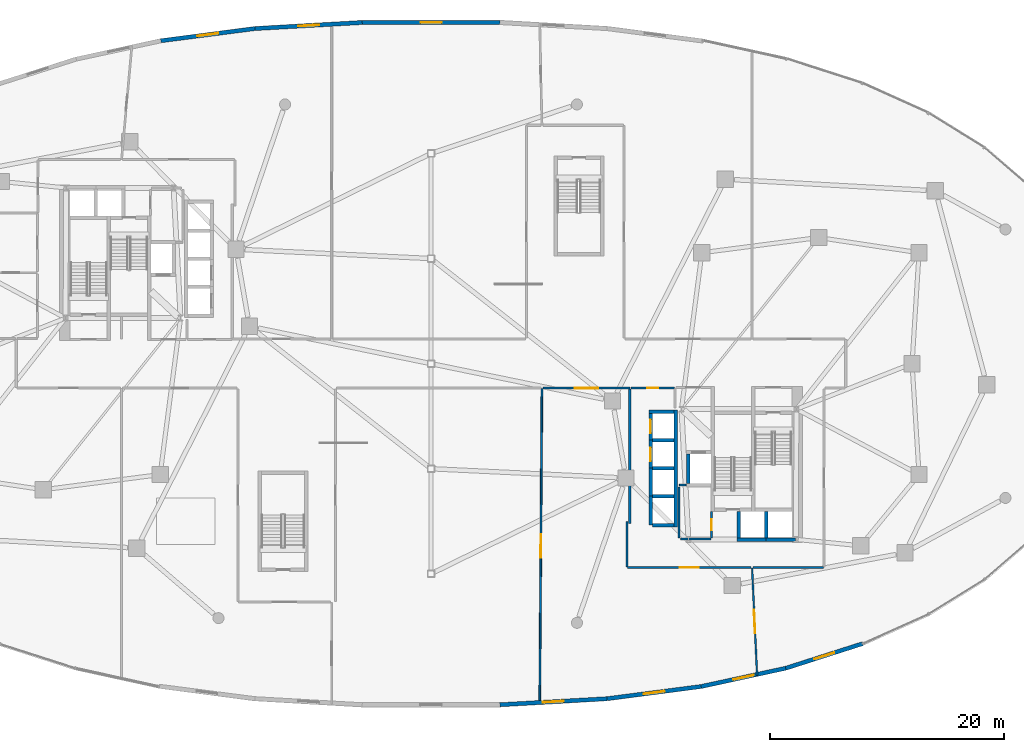
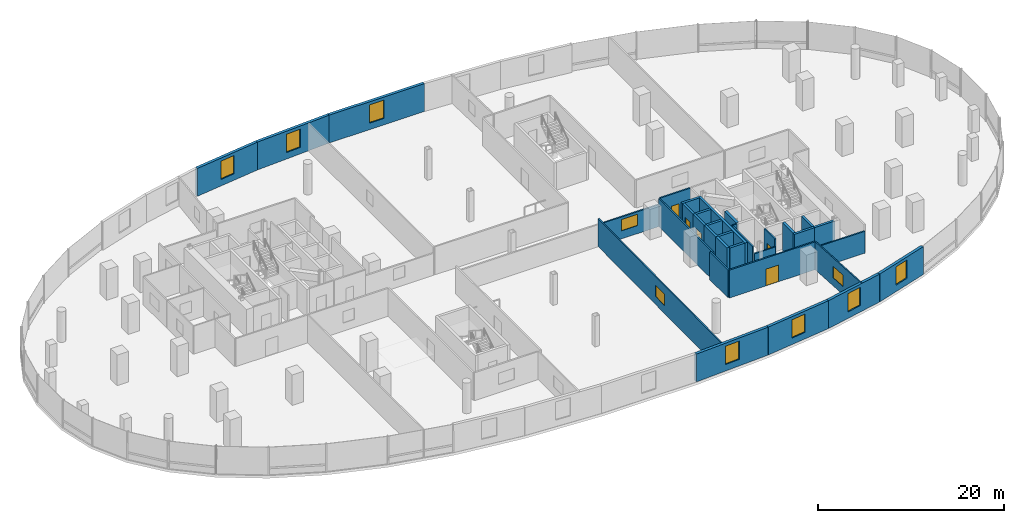
# One storey, part 14 of 18: 34 walls, 10 windows, 5 doors, 15 openings.
"""IFC4 building model written with IfcOpenShell, lengths in metres."""

from ifc_helpers import new_model, si_unit, direction, frame, frame_2d, origin, place, context, subcontext, project, spatial, rectangle, extrude, material, layer, layer_set, type_object, element, fill, save


model = new_model("IFC4")

# Units and contexts
model_context = context("Model", 3, precision=1e-05, world=origin(), true_north=direction((0.0, 1.0)))
body_context = subcontext(model_context, "Body", "Model", "MODEL_VIEW")
ifc_project = project(units=[si_unit("LENGTHUNIT", "METRE"), si_unit("AREAUNIT", "SQUARE_METRE"), si_unit("VOLUMEUNIT", "CUBIC_METRE"), si_unit("PLANEANGLEUNIT", "RADIAN"), si_unit("MASSUNIT", "GRAM", prefix="KILO"), si_unit("THERMODYNAMICTEMPERATUREUNIT", "KELVIN"), si_unit("POWERUNIT", "WATT")], contexts=[model_context])

# Site, building, storey
site_placement = place(None, origin())
site = spatial("IfcSite", under=ifc_project, at=site_placement, CompositionType="ELEMENT")
building_placement = place(site_placement, origin())
building = spatial("IfcBuilding", under=site, at=building_placement, Name="Cundina Bronze Exchange", CompositionType="ELEMENT")
storey_placement = place(building_placement, frame((0.0, 0.0, 12.0)))
storey = spatial("IfcBuildingStorey", under=building, at=storey_placement, Name="L02", CompositionType="ELEMENT", Elevation=12.0)

# Wall
ifc_material_1 = material(Name="Gypsum Fireboard Partition EI120")
ifc_layer_1 = layer(ifc_material_1, 0.179931640625, Name="Gypsum Fireboard Partition EI120")
ifc_layer_set_1 = layer_set([ifc_layer_1], Name="Gypsum Fireboard Partition EI120")
wall_type_1 = type_object("IfcWallType", Name="WL-COR-180", PredefinedType="PARTITIONING", material=ifc_layer_set_1)
wall_1_placement = place(storey_placement, frame((17.02001953125, -13.679931640625, 0.0), z_axis=(0.0, 0.0, 1.0), x_axis=(0.0, 1.0, 0.0)))
element("IfcWall", 1, at=wall_1_placement, inside=storey, type_object=wall_type_1, Name="L02 Interior Partition 007", PredefinedType="PARTITIONING", context=body_context, shape_type="SweptSolid", body=[
    extrude(rectangle(XDim=11.510009765625, YDim=0.179931640625, at=frame_2d((5.7548828125, 0.0))), origin(), (0.0, 0.0, 1.0), 3.64990234375),
])

# Wall, opening, door
wall_2_placement = place(storey_placement, frame((17.1201171875, -2.070068359375, 0.0), z_axis=(0.0, 0.0, 1.0), x_axis=(1.0, 0.0, 0.0)))
wall_2 = element("IfcWall", 2, at=wall_2_placement, inside=storey, type_object=wall_type_1, Name="L02 Interior Partition 008", PredefinedType="PARTITIONING", context=body_context, shape_type="SweptSolid", body=[
    extrude(rectangle(XDim=3.75, YDim=0.179931640625, at=frame_2d((1.875, 0.0))), origin(), (0.0, 0.0, 1.0), 3.64990234375),
])
opening_1_placement = place(wall_2_placement, frame((1.39990234375, 0.0, 0.0)))
opening_1 = element("IfcOpeningElement", 3, at=opening_1_placement, cuts=wall_2, Name="Opening DW-01", PredefinedType="OPENING", context=body_context, shape_type="SweptSolid", body=[
    extrude(rectangle(XDim=0.949951171875, YDim=2.10009765625, at=frame_2d((0.47509765625, 1.050048828125))), frame((0.0, 0.099853515625, 0.0), z_axis=(0.0, -1.0, 0.0), x_axis=(1.0, 0.0, 0.0)), (0.0, 0.0, 1.0), 0.199951171875),
])
ifc_material_2 = material(Name="Solid Andean Oak Timber Grade A", Category="wood")
door_type_1 = type_object("IfcDoorType", Name="DR-WC-950", OperationType="NOTDEFINED", PredefinedType="DOOR", material=ifc_material_2)
door_1_placement = place(opening_1_placement, origin())
door_1 = element("IfcDoor", 4, at=door_1_placement, inside=storey, type_object=door_type_1, Name="L02 Interior Door 008", OperationType="SINGLE_SWING_RIGHT", OverallHeight=2.10009765625, OverallWidth=0.949951171875, PredefinedType="DOOR", context=body_context, shape_type="SweptSolid", body=[
    extrude(rectangle(XDim=0.949951171875, YDim=2.10009765625, at=frame_2d((0.47509765625, 1.050048828125))), frame((0.0, 0.02490234375, 0.0), z_axis=(0.0, -1.0, 0.0), x_axis=(1.0, 0.0, 0.0)), (0.0, 0.0, 1.0), 0.050048828125),
])
fill(opening_1, door_1)

# Walls
wall_3_placement = place(storey_placement, frame((21.25, -14.929931640625, 0.0), z_axis=(0.0, 0.0, 1.0), x_axis=(0.0, 1.0, 0.0)))
element("IfcWall", 5, at=wall_3_placement, inside=storey, type_object=wall_type_1, Name="L02 Interior Partition 010", PredefinedType="PARTITIONING", context=body_context, shape_type="SweptSolid", body=[
    extrude(rectangle(XDim=4.35986328125, YDim=0.179931640625, at=frame_2d((2.179931640625, 0.0))), origin(), (0.0, 0.0, 1.0), 3.64990234375),
])
wall_4_placement = place(storey_placement, frame((21.35009765625, -15.030029296875, 0.0), z_axis=(0.0, 0.0, 1.0), x_axis=(1.0, 0.0, 0.0)))
element("IfcWall", 6, at=wall_4_placement, inside=storey, type_object=wall_type_1, Name="L02 Interior Partition 011", PredefinedType="PARTITIONING", context=body_context, shape_type="SweptSolid", body=[
    extrude(rectangle(XDim=2.60986328125, YDim=0.179931640625, at=frame_2d((1.304931640625, 0.0))), origin(), (0.0, 0.0, 1.0), 2.722900390625),
])

# Wall, opening, door
wall_5_placement = place(storey_placement, frame((24.02001953125, -14.929931640625, 0.0), z_axis=(0.0, 0.0, 1.0), x_axis=(0.0, 1.0, 0.0)))
wall_5 = element("IfcWall", 7, at=wall_5_placement, inside=storey, type_object=wall_type_1, Name="L02 Interior Partition 012", PredefinedType="PARTITIONING", context=body_context, shape_type="SweptSolid", body=[
    extrude(rectangle(XDim=2.260009765625, YDim=0.179931640625, at=frame_2d((1.1298828125, 0.0))), origin(), (0.0, 0.0, 1.0), 3.64990234375),
])
opening_2_placement = place(wall_5_placement, frame((0.655029296875, 0.0, 0.0)))
opening_2 = element("IfcOpeningElement", 8, at=opening_2_placement, cuts=wall_5, Name="Opening DW-01", PredefinedType="OPENING", context=body_context, shape_type="SweptSolid", body=[
    extrude(rectangle(XDim=0.949951171875, YDim=2.10009765625, at=frame_2d((0.47509765625, 1.050048828125))), frame((0.0, 0.099853515625, 0.0), z_axis=(0.0, -1.0, 0.0), x_axis=(1.0, 0.0, 0.0)), (0.0, 0.0, 1.0), 0.199951171875),
])
door_2_placement = place(opening_2_placement, origin())
door_2 = element("IfcDoor", 9, at=door_2_placement, inside=storey, type_object=door_type_1, Name="L02 Interior Door 012", OperationType="SINGLE_SWING_RIGHT", OverallHeight=2.10009765625, OverallWidth=0.949951171875, PredefinedType="DOOR", context=body_context, shape_type="SweptSolid", body=[
    extrude(rectangle(XDim=0.949951171875, YDim=2.10009765625, at=frame_2d((0.47509765625, 1.050048828125))), frame((0.0, 0.02490234375, 0.0), z_axis=(0.0, -1.0, 0.0), x_axis=(1.0, 0.0, 0.0)), (0.0, 0.0, 1.0), 0.050048828125),
])
fill(opening_2, door_2)

wall_6_placement = place(storey_placement, frame((16.821533203125, -17.469970703125, 0.0), z_axis=(0.0, 0.0, 1.0), x_axis=(1.0, 0.0, 0.0)))
wall_6 = element("IfcWall", 10, at=wall_6_placement, inside=storey, type_object=wall_type_1, Name="L02 Interior Partition 031", PredefinedType="PARTITIONING", context=body_context, shape_type="SweptSolid", body=[
    extrude(rectangle(XDim=10.58349609375, YDim=0.179931640625, at=frame_2d((5.291748046875, 0.0))), origin(), (0.0, 0.0, 1.0), 3.64990234375),
])
opening_3_placement = place(wall_6_placement, frame((4.49169921875, 0.0, 0.0)))
opening_3 = element("IfcOpeningElement", 11, at=opening_3_placement, cuts=wall_6, Name="Opening DO-02", PredefinedType="OPENING", context=body_context, shape_type="SweptSolid", body=[
    extrude(rectangle(XDim=1.60009765625, YDim=2.199951171875, at=frame_2d((0.800048828125, 1.10009765625))), frame((0.0, 0.099853515625, 0.0), z_axis=(0.0, -1.0, 0.0), x_axis=(1.0, 0.0, 0.0)), (0.0, 0.0, 1.0), 0.199951171875),
])
door_type_2 = type_object("IfcDoorType", Name="DR-TRD-1600", OperationType="NOTDEFINED", PredefinedType="DOOR", material=ifc_material_2)
door_3_placement = place(opening_3_placement, origin())
door_3 = element("IfcDoor", 12, at=door_3_placement, inside=storey, type_object=door_type_2, Name="L02 Interior Door 031", OperationType="SINGLE_SWING_RIGHT", OverallHeight=2.199951171875, OverallWidth=1.60009765625, PredefinedType="DOOR", context=body_context, shape_type="SweptSolid", body=[
    extrude(rectangle(XDim=1.60009765625, YDim=2.199951171875, at=frame_2d((0.800048828125, 1.10009765625))), frame((0.0, 0.02490234375, 0.0), z_axis=(0.0, -1.0, 0.0), x_axis=(1.0, 0.0, 0.0)), (0.0, 0.0, 1.0), 0.050048828125),
])
fill(opening_3, door_3)

# Wall, opening, window
wall_7_placement = place(storey_placement, frame((9.594970703125, -2.10009765625, 0.0), z_axis=(0.0, 0.0, 1.0), x_axis=(1.0, 0.0, 0.0)))
wall_7 = element("IfcWall", 13, at=wall_7_placement, inside=storey, type_object=wall_type_1, Name="L02 Interior Partition 032", PredefinedType="PARTITIONING", context=body_context, shape_type="SweptSolid", body=[
    extrude(rectangle(XDim=7.445068359375, YDim=0.179931640625, at=frame_2d((3.72265625, 0.0))), origin(), (0.0, 0.0, 1.0), 2.876953125),
])
opening_4_placement = place(wall_7_placement, frame((2.721923828125, 0.0, 1.050048828125)))
opening_4 = element("IfcOpeningElement", 14, at=opening_4_placement, cuts=wall_7, Name="Opening WI-01", PredefinedType="OPENING", context=body_context, shape_type="SweptSolid", body=[
    extrude(rectangle(XDim=2.0, YDim=1.5, at=frame_2d((1.0, 0.75))), frame((0.0, 0.099853515625, 0.0), z_axis=(0.0, -1.0, 0.0), x_axis=(1.0, 0.0, 0.0)), (0.0, 0.0, 1.0), 0.199951171875),
])
ifc_material_3 = material(Name="Clear Low-E Insulating Glass 26mm", Category="glass")
window_type_1 = type_object("IfcWindowType", Name="WN-INT-2000", PartitioningType="SINGLE_PANEL", PredefinedType="WINDOW", material=ifc_material_3)
window_1_placement = place(opening_4_placement, origin())
window_1 = element("IfcWindow", 15, at=window_1_placement, inside=storey, type_object=window_type_1, Name="L02 Interior Acoustic Vision Window 032", OverallHeight=1.5, OverallWidth=2.0, PartitioningType="SINGLE_PANEL", PredefinedType="WINDOW", context=body_context, shape_type="SweptSolid", body=[
    extrude(rectangle(XDim=2.0, YDim=1.5, at=frame_2d((1.0, 0.75))), frame((0.0, 0.030029296875, 0.0), z_axis=(0.0, -1.0, 0.0), x_axis=(1.0, 0.0, 0.0)), (0.0, 0.0, 1.0), 0.06005859375),
])
fill(opening_4, window_1)

# Walls
wall_8_placement = place(storey_placement, frame((16.780029296875, -13.521484375, 0.0), z_axis=(0.0, 0.0, 1.0), x_axis=(0.0, -1.0, 0.0)))
element("IfcWall", 16, at=wall_8_placement, inside=storey, type_object=wall_type_1, Name="L02 Interior Partition 033", PredefinedType="PARTITIONING", context=body_context, shape_type="SweptSolid", body=[
    extrude(rectangle(XDim=3.906982421875, YDim=0.179931640625, at=frame_2d((1.95361328125, 0.0))), origin(), (0.0, 0.0, 1.0), 3.64990234375),
])
wall_9_placement = place(storey_placement, frame((27.594970703125, -17.469970703125, 0.0), z_axis=(0.0, 0.0, 1.0), x_axis=(1.0, 0.0, 0.0)))
element("IfcWall", 17, at=wall_9_placement, inside=storey, type_object=wall_type_1, Name="L02 Interior Partition 045", PredefinedType="PARTITIONING", context=body_context, shape_type="SweptSolid", body=[
    extrude(rectangle(XDim=6.033447265625, YDim=0.179931640625, at=frame_2d((3.0166015625, 0.0))), origin(), (0.0, 0.0, 1.0), 2.876953125),
])

# Wall, opening, window
ifc_material_4 = material(Name="Concrete C40/50", Category="concrete")
ifc_layer_2 = layer(ifc_material_4, 0.35009765625, Name="Concrete C40/50", Category="concrete")
ifc_layer_set_2 = layer_set([ifc_layer_2], Name="Concrete C40/50")
wall_type_2 = type_object("IfcWallType", Name="WL-EXT-350", PredefinedType="SOLIDWALL", material=ifc_layer_set_2)
wall_10_placement = place(storey_placement, frame((5.892578125, 29.21630859375, 0.0), z_axis=(0.0, 0.0, 1.0), x_axis=(-1.0, 0.0, 0.0)))
wall_10 = element("IfcWall", 18, at=wall_10_placement, inside=storey, type_object=wall_type_2, Name="L02 Podium Exterior Wall 10", PredefinedType="SOLIDWALL", context=body_context, shape_type="SweptSolid", body=[
    extrude(rectangle(XDim=11.78515625, YDim=0.35009765625, at=frame_2d((5.892578125, 0.0))), origin(), (0.0, 0.0, 1.0), 3.64990234375),
])
opening_5_placement = place(wall_10_placement, frame((4.991943359375, 0.0, 0.85009765625)))
opening_5 = element("IfcOpeningElement", 19, at=opening_5_placement, cuts=wall_10, Name="Opening W-02", PredefinedType="OPENING", context=body_context, shape_type="SweptSolid", body=[
    extrude(rectangle(XDim=1.800048828125, YDim=2.39990234375, at=frame_2d((0.89990234375, 1.199951171875))), frame((0.0, 0.18505859375, 0.0), z_axis=(0.0, -1.0, 0.0), x_axis=(1.0, 0.0, 0.0)), (0.0, 0.0, 1.0), 0.3701171875),
])
ifc_material_5 = material(Name="Heat-Strengthened Solar-Control Bronze Safety Glass 28mm", Category="glass")
window_type_2 = type_object("IfcWindowType", Name="WN-POD-1800", PartitioningType="SINGLE_PANEL", PredefinedType="WINDOW", material=ifc_material_5)
window_2_placement = place(opening_5_placement, origin())
window_2 = element("IfcWindow", 20, at=window_2_placement, inside=storey, type_object=window_type_2, Name="L02 Podium Punched Window 10", OverallHeight=2.39990234375, OverallWidth=1.800048828125, PartitioningType="SINGLE_PANEL", PredefinedType="WINDOW", context=body_context, shape_type="SweptSolid", body=[
    extrude(rectangle(XDim=1.800048828125, YDim=2.39990234375, at=frame_2d((0.89990234375, 1.199951171875))), frame((0.0, 0.030029296875, 0.0), z_axis=(0.0, -1.0, 0.0), x_axis=(1.0, 0.0, 0.0)), (0.0, 0.0, 1.0), 0.06005859375),
])
fill(opening_5, window_2)

wall_11_placement = place(storey_placement, frame((-5.892578125, 29.21630859375, 0.0), z_axis=(0.0, 0.0, 1.0), x_axis=(-0.998413463137, -0.056307695976, 0.0)))
wall_11 = element("IfcWall", 21, at=wall_11_placement, inside=storey, type_object=wall_type_2, Name="L02 Podium Exterior Wall 11", PredefinedType="SOLIDWALL", context=body_context, shape_type="SweptSolid", body=[
    extrude(rectangle(XDim=9.20068359375, YDim=0.35009765625, at=frame_2d((4.600341796875, 0.0))), origin(), (0.0, 0.0, 1.0), 3.64990234375),
])
opening_6_placement = place(wall_11_placement, frame((3.699951171875, 0.0, 0.85009765625)))
opening_6 = element("IfcOpeningElement", 22, at=opening_6_placement, cuts=wall_11, Name="Opening W-02", PredefinedType="OPENING", context=body_context, shape_type="SweptSolid", body=[
    extrude(rectangle(XDim=1.800048828125, YDim=2.39990234375, at=frame_2d((0.89990234375, 1.199951171875))), frame((0.0, 0.18505859375, 0.0), z_axis=(0.0, -1.0, 0.0), x_axis=(1.0, 0.0, 0.0)), (0.0, 0.0, 1.0), 0.3701171875),
])
window_3_placement = place(opening_6_placement, origin())
window_3 = element("IfcWindow", 23, at=window_3_placement, inside=storey, type_object=window_type_2, Name="L02 Podium Punched Window 11", OverallHeight=2.39990234375, OverallWidth=1.800048828125, PartitioningType="SINGLE_PANEL", PredefinedType="WINDOW", context=body_context, shape_type="SweptSolid", body=[
    extrude(rectangle(XDim=1.800048828125, YDim=2.39990234375, at=frame_2d((0.89990234375, 1.199951171875))), frame((0.0, 0.030029296875, 0.0), z_axis=(0.0, -1.0, 0.0), x_axis=(1.0, 0.0, 0.0)), (0.0, 0.0, 1.0), 0.06005859375),
])
fill(opening_6, window_3)

wall_12_placement = place(storey_placement, frame((-15.07861328125, 28.6982421875, 0.0), z_axis=(0.0, 0.0, 1.0), x_axis=(-0.991688106477, -0.128665067026, 0.0)))
wall_12 = element("IfcWall", 24, at=wall_12_placement, inside=storey, type_object=wall_type_2, Name="L02 Podium Exterior Wall 12", PredefinedType="SOLIDWALL", context=body_context, shape_type="SweptSolid", body=[
    extrude(rectangle(XDim=8.12890625, YDim=0.35009765625, at=frame_2d((4.064453125, 0.0))), origin(), (0.0, 0.0, 1.0), 3.64990234375),
])
opening_7_placement = place(wall_12_placement, frame((3.1640625, 0.0, 0.85009765625)))
opening_7 = element("IfcOpeningElement", 25, at=opening_7_placement, cuts=wall_12, Name="Opening W-02", PredefinedType="OPENING", context=body_context, shape_type="SweptSolid", body=[
    extrude(rectangle(XDim=1.800048828125, YDim=2.39990234375, at=frame_2d((0.89990234375, 1.199951171875))), frame((0.0, 0.18505859375, 0.0), z_axis=(0.0, -1.0, 0.0), x_axis=(1.0, 0.0, 0.0)), (0.0, 0.0, 1.0), 0.3701171875),
])
window_4_placement = place(opening_7_placement, origin())
window_4 = element("IfcWindow", 26, at=window_4_placement, inside=storey, type_object=window_type_2, Name="L02 Podium Punched Window 12", OverallHeight=2.39990234375, OverallWidth=1.800048828125, PartitioningType="SINGLE_PANEL", PredefinedType="WINDOW", context=body_context, shape_type="SweptSolid", body=[
    extrude(rectangle(XDim=1.800048828125, YDim=2.39990234375, at=frame_2d((0.89990234375, 1.199951171875))), frame((0.0, 0.030029296875, 0.0), z_axis=(0.0, -1.0, 0.0), x_axis=(1.0, 0.0, 0.0)), (0.0, 0.0, 1.0), 0.06005859375),
])
fill(opening_7, window_4)

wall_13_placement = place(storey_placement, frame((5.892578125, -29.21630859375, 0.0), z_axis=(0.0, 0.0, 1.0), x_axis=(0.998413463137, 0.056307695976, 0.0)))
wall_13 = element("IfcWall", 27, at=wall_13_placement, inside=storey, type_object=wall_type_2, Name="L02 Podium Exterior Wall 33", PredefinedType="SOLIDWALL", context=body_context, shape_type="SweptSolid", body=[
    extrude(rectangle(XDim=9.20068359375, YDim=0.35009765625, at=frame_2d((4.600341796875, 0.0))), origin(), (0.0, 0.0, 1.0), 3.64990234375),
])
opening_8_placement = place(wall_13_placement, frame((3.699951171875, 0.0, 0.85009765625)))
opening_8 = element("IfcOpeningElement", 28, at=opening_8_placement, cuts=wall_13, Name="Opening W-02", PredefinedType="OPENING", context=body_context, shape_type="SweptSolid", body=[
    extrude(rectangle(XDim=1.800048828125, YDim=2.39990234375, at=frame_2d((0.89990234375, 1.199951171875))), frame((0.0, 0.18505859375, 0.0), z_axis=(0.0, -1.0, 0.0), x_axis=(1.0, 0.0, 0.0)), (0.0, 0.0, 1.0), 0.3701171875),
])
window_5_placement = place(opening_8_placement, origin())
window_5 = element("IfcWindow", 29, at=window_5_placement, inside=storey, type_object=window_type_2, Name="L02 Podium Punched Window 33", OverallHeight=2.39990234375, OverallWidth=1.800048828125, PartitioningType="SINGLE_PANEL", PredefinedType="WINDOW", context=body_context, shape_type="SweptSolid", body=[
    extrude(rectangle(XDim=1.800048828125, YDim=2.39990234375, at=frame_2d((0.89990234375, 1.199951171875))), frame((0.0, 0.030029296875, 0.0), z_axis=(0.0, -1.0, 0.0), x_axis=(1.0, 0.0, 0.0)), (0.0, 0.0, 1.0), 0.06005859375),
])
fill(opening_8, window_5)

wall_14_placement = place(storey_placement, frame((15.07861328125, -28.6982421875, 0.0), z_axis=(0.0, 0.0, 1.0), x_axis=(0.991688106477, 0.128665067026, 0.0)))
wall_14 = element("IfcWall", 30, at=wall_14_placement, inside=storey, type_object=wall_type_2, Name="L02 Podium Exterior Wall 34", PredefinedType="SOLIDWALL", context=body_context, shape_type="SweptSolid", body=[
    extrude(rectangle(XDim=8.12890625, YDim=0.35009765625, at=frame_2d((4.064453125, 0.0))), origin(), (0.0, 0.0, 1.0), 3.64990234375),
])
opening_9_placement = place(wall_14_placement, frame((3.1640625, 0.0, 0.85009765625)))
opening_9 = element("IfcOpeningElement", 31, at=opening_9_placement, cuts=wall_14, Name="Opening W-02", PredefinedType="OPENING", context=body_context, shape_type="SweptSolid", body=[
    extrude(rectangle(XDim=1.800048828125, YDim=2.39990234375, at=frame_2d((0.89990234375, 1.199951171875))), frame((0.0, 0.18505859375, 0.0), z_axis=(0.0, -1.0, 0.0), x_axis=(1.0, 0.0, 0.0)), (0.0, 0.0, 1.0), 0.3701171875),
])
window_6_placement = place(opening_9_placement, origin())
window_6 = element("IfcWindow", 32, at=window_6_placement, inside=storey, type_object=window_type_2, Name="L02 Podium Punched Window 34", OverallHeight=2.39990234375, OverallWidth=1.800048828125, PartitioningType="SINGLE_PANEL", PredefinedType="WINDOW", context=body_context, shape_type="SweptSolid", body=[
    extrude(rectangle(XDim=1.800048828125, YDim=2.39990234375, at=frame_2d((0.89990234375, 1.199951171875))), frame((0.0, 0.030029296875, 0.0), z_axis=(0.0, -1.0, 0.0), x_axis=(1.0, 0.0, 0.0)), (0.0, 0.0, 1.0), 0.06005859375),
])
fill(opening_9, window_6)

wall_15_placement = place(storey_placement, frame((23.139892578125, -27.65234375, 0.0), z_axis=(0.0, 0.0, 1.0), x_axis=(0.977456656467, 0.211136175795, 0.0)))
wall_15 = element("IfcWall", 33, at=wall_15_placement, inside=storey, type_object=wall_type_2, Name="L02 Podium Exterior Wall 35", PredefinedType="SOLIDWALL", context=body_context, shape_type="SweptSolid", body=[
    extrude(rectangle(XDim=7.40625, YDim=0.35009765625, at=frame_2d((3.703125, 0.0))), origin(), (0.0, 0.0, 1.0), 3.64990234375),
])
opening_10_placement = place(wall_15_placement, frame((2.802978515625, 0.0, 0.85009765625)))
opening_10 = element("IfcOpeningElement", 34, at=opening_10_placement, cuts=wall_15, Name="Opening W-02", PredefinedType="OPENING", context=body_context, shape_type="SweptSolid", body=[
    extrude(rectangle(XDim=1.800048828125, YDim=2.39990234375, at=frame_2d((0.89990234375, 1.199951171875))), frame((0.0, 0.18505859375, 0.0), z_axis=(0.0, -1.0, 0.0), x_axis=(1.0, 0.0, 0.0)), (0.0, 0.0, 1.0), 0.3701171875),
])
window_7_placement = place(opening_10_placement, origin())
window_7 = element("IfcWindow", 35, at=window_7_placement, inside=storey, type_object=window_type_2, Name="L02 Podium Punched Window 35", OverallHeight=2.39990234375, OverallWidth=1.800048828125, PartitioningType="SINGLE_PANEL", PredefinedType="WINDOW", context=body_context, shape_type="SweptSolid", body=[
    extrude(rectangle(XDim=1.800048828125, YDim=2.39990234375, at=frame_2d((0.89990234375, 1.199951171875))), frame((0.0, 0.030029296875, 0.0), z_axis=(0.0, -1.0, 0.0), x_axis=(1.0, 0.0, 0.0)), (0.0, 0.0, 1.0), 0.06005859375),
])
fill(opening_10, window_7)

wall_16_placement = place(storey_placement, frame((30.379150390625, -26.088623046875, 0.0), z_axis=(0.0, 0.0, 1.0), x_axis=(0.952587993211, 0.304263233385, 0.0)))
wall_16 = element("IfcWall", 36, at=wall_16_placement, inside=storey, type_object=wall_type_2, Name="L02 Podium Exterior Wall 36", PredefinedType="SOLIDWALL", context=body_context, shape_type="SweptSolid", body=[
    extrude(rectangle(XDim=6.931884765625, YDim=0.35009765625, at=frame_2d((3.4658203125, 0.0))), origin(), (0.0, 0.0, 1.0), 3.64990234375),
])
opening_11_placement = place(wall_16_placement, frame((2.56591796875, 0.0, 0.85009765625)))
opening_11 = element("IfcOpeningElement", 37, at=opening_11_placement, cuts=wall_16, Name="Opening W-02", PredefinedType="OPENING", context=body_context, shape_type="SweptSolid", body=[
    extrude(rectangle(XDim=1.800048828125, YDim=2.39990234375, at=frame_2d((0.89990234375, 1.199951171875))), frame((0.0, 0.18505859375, 0.0), z_axis=(0.0, -1.0, 0.0), x_axis=(1.0, 0.0, 0.0)), (0.0, 0.0, 1.0), 0.3701171875),
])
window_8_placement = place(opening_11_placement, origin())
window_8 = element("IfcWindow", 38, at=window_8_placement, inside=storey, type_object=window_type_2, Name="L02 Podium Punched Window 36", OverallHeight=2.39990234375, OverallWidth=1.800048828125, PartitioningType="SINGLE_PANEL", PredefinedType="WINDOW", context=body_context, shape_type="SweptSolid", body=[
    extrude(rectangle(XDim=1.800048828125, YDim=2.39990234375, at=frame_2d((0.89990234375, 1.199951171875))), frame((0.0, 0.030029296875, 0.0), z_axis=(0.0, -1.0, 0.0), x_axis=(1.0, 0.0, 0.0)), (0.0, 0.0, 1.0), 0.06005859375),
])
fill(opening_11, window_8)

# Walls
ifc_material_6 = material(Name="Concrete C50/60", Category="concrete")
ifc_layer_3 = layer(ifc_material_6, 0.300048828125, Name="Concrete C50/60", Category="concrete")
ifc_layer_set_3 = layer_set([ifc_layer_3], Name="Concrete C50/60")
wall_type_3 = type_object("IfcWallType", Name="WL-SHFT-300", PredefinedType="SHEAR", material=ifc_layer_set_3)
for number, where, z_axis, x_axis, name in (
    (39, (22.030029296875, -10.25, 0.0), (0.0, 0.0, 1.0), (0.0, 1.0, 0.0), "L02 FFL-E Hoistway Side Wall"),
    (40, (28.699951171875, -15.10009765625, 0.0), (0.0, 0.0, 1.0), (1.0, 0.0, 0.0), "L02 PH-E1 Hoistway Front Wall"),
):
    element("IfcWall", number, at=place(storey_placement, frame(where, z_axis=z_axis, x_axis=x_axis)), inside=storey, type_object=wall_type_3, Name=name, PredefinedType="SHEAR", context=body_context, shape_type="SweptSolid", body=[
        extrude(rectangle(XDim=2.5, YDim=0.300048828125, at=frame_2d((1.25, 0.0))), origin(), (0.0, 0.0, 1.0), 3.64990234375),
    ])
wall_17_placement = place(storey_placement, frame((28.699951171875, -14.949951171875, 0.0), z_axis=(0.0, 0.0, 1.0), x_axis=(0.0, 1.0, 0.0)))
element("IfcWall", 41, at=wall_17_placement, inside=storey, type_object=wall_type_3, Name="L02 PH-E1 Hoistway Divider Wall", PredefinedType="SHEAR", context=body_context, shape_type="SweptSolid", body=[
    extrude(rectangle(XDim=2.300048828125, YDim=0.300048828125, at=frame_2d((1.14990234375, 0.0))), origin(), (0.0, 0.0, 1.0), 3.64990234375),
])
wall_18_placement = place(storey_placement, frame((26.199951171875, -15.10009765625, 0.0), z_axis=(0.0, 0.0, 1.0), x_axis=(1.0, 0.0, 0.0)))
element("IfcWall", 42, at=wall_18_placement, inside=storey, type_object=wall_type_3, Name="L02 PH-E2 Hoistway Front Wall", PredefinedType="SHEAR", context=body_context, shape_type="SweptSolid", body=[
    extrude(rectangle(XDim=2.5, YDim=0.300048828125, at=frame_2d((1.25, 0.0))), origin(), (0.0, 0.0, 1.0), 3.64990234375),
])
wall_19_placement = place(storey_placement, frame((26.35009765625, -14.949951171875, 0.0), z_axis=(0.0, 0.0, 1.0), x_axis=(0.0, 1.0, 0.0)))
element("IfcWall", 43, at=wall_19_placement, inside=storey, type_object=wall_type_3, Name="L02 PH-E2 Hoistway Divider Wall", PredefinedType="SHEAR", context=body_context, shape_type="SweptSolid", body=[
    extrude(rectangle(XDim=2.300048828125, YDim=0.300048828125, at=frame_2d((1.14990234375, 0.0))), origin(), (0.0, 0.0, 1.0), 3.64990234375),
])
wall_20_placement = place(storey_placement, frame((20.949951171875, -14.0, 0.0), z_axis=(0.0, 0.0, 1.0), x_axis=(0.0, 1.0, 0.0)))
element("IfcWall", 44, at=wall_20_placement, inside=storey, type_object=wall_type_3, Name="L02 E Passenger Bank Hoistway Back Wall", PredefinedType="SHEAR", context=body_context, shape_type="SweptSolid", body=[
    extrude(rectangle(XDim=10.050048828125, YDim=0.300048828125, at=frame_2d((5.02490234375, 0.0))), origin(), (0.0, 0.0, 1.0), 3.64990234375),
])
wall_21_placement = place(storey_placement, frame((18.949951171875, -13.85009765625, 0.0), z_axis=(0.0, 0.0, 1.0), x_axis=(1.0, 0.0, 0.0)))
element("IfcWall", 45, at=wall_21_placement, inside=storey, type_object=wall_type_3, Name="L02 E Passenger Bank South Cap Wall", PredefinedType="SHEAR", context=body_context, shape_type="SweptSolid", body=[
    extrude(rectangle(XDim=1.85009765625, YDim=0.300048828125, at=frame_2d((0.925048828125, 0.0))), origin(), (0.0, 0.0, 1.0), 3.64990234375),
])
wall_22_placement = place(storey_placement, frame((18.64990234375, -4.10009765625, 0.0), z_axis=(0.0, 0.0, 1.0), x_axis=(1.0, 0.0, 0.0)))
element("IfcWall", 46, at=wall_22_placement, inside=storey, type_object=wall_type_3, Name="L02 E Passenger Bank North Cap Wall", PredefinedType="SHEAR", context=body_context, shape_type="SweptSolid", body=[
    extrude(rectangle(XDim=2.150146484375, YDim=0.300048828125, at=frame_2d((1.0751953125, 0.0))), origin(), (0.0, 0.0, 1.0), 3.64990234375),
])
for number, where, z_axis, x_axis, name in (
    (47, (18.949951171875, -11.375, 0.0), (0.0, 0.0, 1.0), (1.0, 0.0, 0.0), "L02 E Passenger Hoistway Divider 1"),
    (48, (18.949951171875, -8.97509765625, 0.0), (0.0, 0.0, 1.0), (1.0, 0.0, 0.0), "L02 E Passenger Hoistway Divider 2"),
    (49, (18.949951171875, -6.574951171875, 0.0), (0.0, 0.0, 1.0), (1.0, 0.0, 0.0), "L02 E Passenger Hoistway Divider 3"),
):
    element("IfcWall", number, at=place(storey_placement, frame(where, z_axis=z_axis, x_axis=x_axis)), inside=storey, type_object=wall_type_3, Name=name, PredefinedType="SHEAR", context=body_context, shape_type="SweptSolid", body=[
        extrude(rectangle(XDim=1.85009765625, YDim=0.300048828125, at=frame_2d((0.925048828125, 0.0))), origin(), (0.0, 0.0, 1.0), 3.64990234375),
    ])
for number, where, z_axis, x_axis, name in (
    (50, (18.800048828125, -13.820068359375, 0.0), (0.0, 0.0, 1.0), (0.0, 1.0, 0.0), "L02 PM-E1 Hoistway Front Wall"),
    (51, (18.800048828125, -11.419921875, 0.0), (0.0, 0.0, 1.0), (0.0, 1.0, 0.0), "L02 PM-E2 Hoistway Front Wall"),
):
    element("IfcWall", number, at=place(storey_placement, frame(where, z_axis=z_axis, x_axis=x_axis)), inside=storey, type_object=wall_type_3, Name=name, PredefinedType="SHEAR", context=body_context, shape_type="SweptSolid", body=[
        extrude(rectangle(XDim=2.489990234375, YDim=0.300048828125, at=frame_2d((1.2451171875, 0.0))), origin(), (0.0, 0.0, 1.0), 3.64990234375),
    ])

# Wall, opening, door
wall_23_placement = place(storey_placement, frame((18.800048828125, -9.02001953125, 0.0), z_axis=(0.0, 0.0, 1.0), x_axis=(0.0, 1.0, 0.0)))
wall_23 = element("IfcWall", 52, at=wall_23_placement, inside=storey, type_object=wall_type_3, Name="L02 PL-E1 Hoistway Front Wall", PredefinedType="SHEAR", context=body_context, shape_type="SweptSolid", body=[
    extrude(rectangle(XDim=2.489990234375, YDim=0.300048828125, at=frame_2d((1.2451171875, 0.0))), origin(), (0.0, 0.0, 1.0), 3.64990234375),
])
opening_12_placement = place(wall_23_placement, frame((0.669921875, 0.0, 0.0)))
opening_12 = element("IfcOpeningElement", 53, at=opening_12_placement, cuts=wall_23, Name="Opening LD-01", PredefinedType="OPENING", context=body_context, shape_type="SweptSolid", body=[
    extrude(rectangle(XDim=1.14990234375, YDim=2.199951171875, at=frame_2d((0.574951171875, 1.10009765625))), frame((0.0, 0.159912109375, 0.0), z_axis=(0.0, -1.0, 0.0), x_axis=(1.0, 0.0, 0.0)), (0.0, 0.0, 1.0), 0.320068359375),
])
ifc_material_7 = material(Name="Steel ASTM A36 Painted", Category="steel")
door_type_3 = type_object("IfcDoorType", Name="DR-LND-1150", OperationType="NOTDEFINED", PredefinedType="TRAPDOOR", material=ifc_material_7)
door_4_placement = place(opening_12_placement, origin())
door_4 = element("IfcDoor", 54, at=door_4_placement, inside=storey, type_object=door_type_3, Name="L02 PL-E1 Sliding Landing Door", OperationType="SLIDING_TO_LEFT", OverallHeight=2.199951171875, OverallWidth=1.14990234375, PredefinedType="TRAPDOOR", context=body_context, shape_type="SweptSolid", body=[
    extrude(rectangle(XDim=1.14990234375, YDim=2.199951171875, at=frame_2d((0.574951171875, 1.10009765625))), frame((0.0, 0.02490234375, 0.0), z_axis=(0.0, -1.0, 0.0), x_axis=(1.0, 0.0, 0.0)), (0.0, 0.0, 1.0), 0.050048828125),
])
fill(opening_12, door_4)

wall_24_placement = place(storey_placement, frame((18.800048828125, -6.6201171875, 0.0), z_axis=(0.0, 0.0, 1.0), x_axis=(0.0, 1.0, 0.0)))
wall_24 = element("IfcWall", 55, at=wall_24_placement, inside=storey, type_object=wall_type_3, Name="L02 PL-E2 Hoistway Front Wall", PredefinedType="SHEAR", context=body_context, shape_type="SweptSolid", body=[
    extrude(rectangle(XDim=2.490234375, YDim=0.300048828125, at=frame_2d((1.2451171875, 0.0))), origin(), (0.0, 0.0, 1.0), 3.64990234375),
])
opening_13_placement = place(wall_24_placement, frame((0.669921875, 0.0, 0.0)))
opening_13 = element("IfcOpeningElement", 56, at=opening_13_placement, cuts=wall_24, Name="Opening LD-01", PredefinedType="OPENING", context=body_context, shape_type="SweptSolid", body=[
    extrude(rectangle(XDim=1.14990234375, YDim=2.199951171875, at=frame_2d((0.574951171875, 1.10009765625))), frame((0.0, 0.159912109375, 0.0), z_axis=(0.0, -1.0, 0.0), x_axis=(1.0, 0.0, 0.0)), (0.0, 0.0, 1.0), 0.320068359375),
])
door_5_placement = place(opening_13_placement, origin())
door_5 = element("IfcDoor", 57, at=door_5_placement, inside=storey, type_object=door_type_3, Name="L02 PL-E2 Sliding Landing Door", OperationType="SLIDING_TO_LEFT", OverallHeight=2.199951171875, OverallWidth=1.14990234375, PredefinedType="TRAPDOOR", context=body_context, shape_type="SweptSolid", body=[
    extrude(rectangle(XDim=1.14990234375, YDim=2.199951171875, at=frame_2d((0.574951171875, 1.10009765625))), frame((0.0, 0.02490234375, 0.0), z_axis=(0.0, -1.0, 0.0), x_axis=(1.0, 0.0, 0.0)), (0.0, 0.0, 1.0), 0.050048828125),
])
fill(opening_13, door_5)

# Wall, opening, window
ifc_material_8 = material(Name="Gypsum Acoustic Partition EI60")
ifc_layer_4 = layer(ifc_material_8, 0.14990234375, Name="Gypsum Acoustic Partition EI60")
ifc_layer_set_4 = layer_set([ifc_layer_4], Name="Gypsum Acoustic Partition EI60")
wall_type_4 = type_object("IfcWallType", Name="WL-TEN-150", PredefinedType="PARTITIONING", material=ifc_layer_set_4)
wall_25_placement = place(storey_placement, frame((9.312744140625, -29.124755859375, 0.0), z_axis=(0.0, 0.0, 1.0), x_axis=(0.006936552508, 0.99997594183, 0.0)))
wall_25 = element("IfcWall", 58, at=wall_25_placement, inside=storey, type_object=wall_type_4, Name="L02 Interior Partition 026", PredefinedType="PARTITIONING", context=body_context, shape_type="SweptSolid", body=[
    extrude(rectangle(XDim=26.99560546875, YDim=0.14990234375, at=frame_2d((13.497802734375, 0.0))), origin(), (0.0, 0.0, 1.0), 3.64990234375),
])
opening_14_placement = place(wall_25_placement, frame((12.498046875, 0.0, 1.050048828125)))
opening_14 = element("IfcOpeningElement", 59, at=opening_14_placement, cuts=wall_25, Name="Opening WI-01", PredefinedType="OPENING", context=body_context, shape_type="SweptSolid", body=[
    extrude(rectangle(XDim=2.0, YDim=1.5, at=frame_2d((1.0, 0.75))), frame((0.0, 0.0849609375, 0.0), z_axis=(0.0, -1.0, 0.0), x_axis=(1.0, 0.0, 0.0)), (0.0, 0.0, 1.0), 0.169921875),
])
window_9_placement = place(opening_14_placement, origin())
window_9 = element("IfcWindow", 60, at=window_9_placement, inside=storey, type_object=window_type_1, Name="L02 Interior Acoustic Vision Window 026", OverallHeight=1.5, OverallWidth=2.0, PartitioningType="SINGLE_PANEL", PredefinedType="WINDOW", context=body_context, shape_type="SweptSolid", body=[
    extrude(rectangle(XDim=2.0, YDim=1.5, at=frame_2d((1.0, 0.75))), frame((0.0, 0.030029296875, 0.0), z_axis=(0.0, -1.0, 0.0), x_axis=(1.0, 0.0, 0.0)), (0.0, 0.0, 1.0), 0.06005859375),
])
fill(opening_14, window_9)

wall_26_placement = place(storey_placement, frame((27.92822265625, -26.693603515625, 0.0), z_axis=(0.0, 0.0, 1.0), x_axis=(-0.046527880698, 0.998916991705, 0.0)))
wall_26 = element("IfcWall", 61, at=wall_26_placement, inside=storey, type_object=wall_type_4, Name="L02 Interior Partition 028", PredefinedType="PARTITIONING", context=body_context, shape_type="SweptSolid", body=[
    extrude(rectangle(XDim=9.20361328125, YDim=0.14990234375, at=frame_2d((4.601806640625, 0.0))), origin(), (0.0, 0.0, 1.0), 3.64990234375),
])
opening_15_placement = place(wall_26_placement, frame((3.60205078125, 0.0, 1.050048828125)))
opening_15 = element("IfcOpeningElement", 62, at=opening_15_placement, cuts=wall_26, Name="Opening WI-01", PredefinedType="OPENING", context=body_context, shape_type="SweptSolid", body=[
    extrude(rectangle(XDim=2.0, YDim=1.5, at=frame_2d((1.0, 0.75))), frame((0.0, 0.0849609375, 0.0), z_axis=(0.0, -1.0, 0.0), x_axis=(1.0, 0.0, 0.0)), (0.0, 0.0, 1.0), 0.169921875),
])
window_10_placement = place(opening_15_placement, origin())
window_10 = element("IfcWindow", 63, at=window_10_placement, inside=storey, type_object=window_type_1, Name="L02 Interior Acoustic Vision Window 028", OverallHeight=1.5, OverallWidth=2.0, PartitioningType="SINGLE_PANEL", PredefinedType="WINDOW", context=body_context, shape_type="SweptSolid", body=[
    extrude(rectangle(XDim=2.0, YDim=1.5, at=frame_2d((1.0, 0.75))), frame((0.0, 0.030029296875, 0.0), z_axis=(0.0, -1.0, 0.0), x_axis=(1.0, 0.0, 0.0)), (0.0, 0.0, 1.0), 0.06005859375),
])
fill(opening_15, window_10)

# Wall
ifc_material_9 = material(Name="Moisture-Resistant Masonry Block Grade M15", Category="masonry")
ifc_layer_5 = layer(ifc_material_9, 0.139892578125, Name="Moisture-Resistant Masonry Block Grade M15", Category="masonry")
ifc_layer_set_5 = layer_set([ifc_layer_5], Name="Moisture-Resistant Masonry Block Grade M15")
wall_type_5 = type_object("IfcWallType", Name="WL-WET-140", PredefinedType="PARTITIONING", material=ifc_layer_set_5)
wall_27_placement = place(storey_placement, frame((21.27001953125, -10.39990234375, 0.0), z_axis=(0.0, 0.0, 1.0), x_axis=(1.0, 0.0, 0.0)))
element("IfcWall", 64, at=wall_27_placement, inside=storey, type_object=wall_type_5, Name="L02 Interior Partition 009", PredefinedType="PARTITIONING", context=body_context, shape_type="SweptSolid", body=[
    extrude(rectangle(XDim=0.590087890625, YDim=0.139892578125, at=frame_2d((0.294921875, 0.0))), origin(), (0.0, 0.0, 1.0), 3.64990234375),
])

save(model, "model.ifc")
